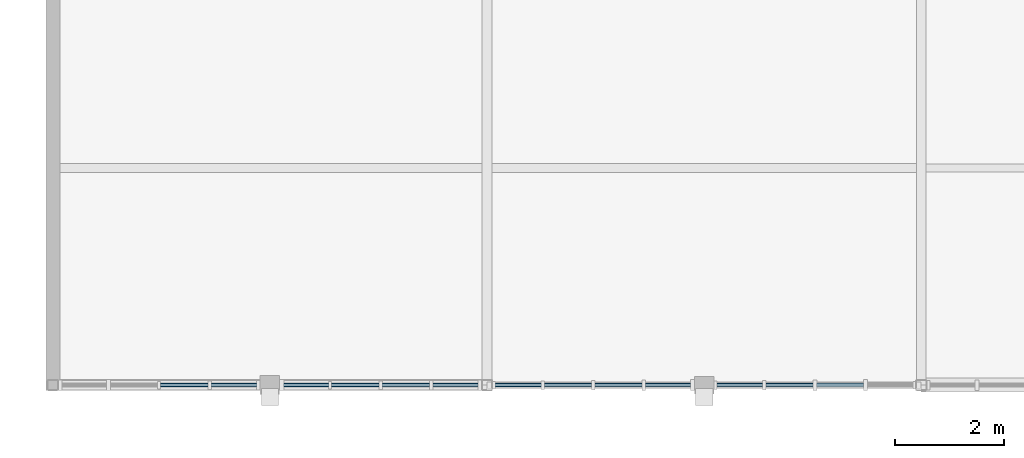
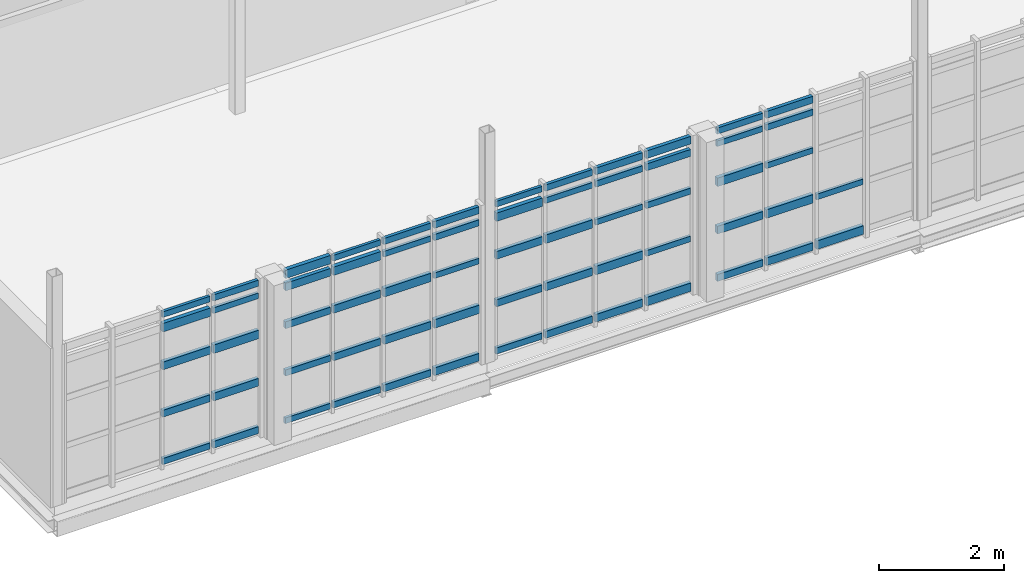
# One storey, part 67 of 125: 62 members, 4 elements without a shape of their own.
"""IFC4 building model written with IfcOpenShell, lengths in metres."""

from ifc_helpers import new_model, si_unit, direction, frame, origin, origin_2d, place, context, subcontext, project, spatial, rectangle, extrude, material, material_profile, profile_set, type_object, element, aggregate, save


model = new_model("IFC4")

# Units and contexts
model_context = context("Model", 3, precision=1e-05, world=origin(), true_north=direction((0.0, 1.0)))
body_context = subcontext(model_context, "Body", "Model", "MODEL_VIEW")
ifc_project = project(units=[si_unit("LENGTHUNIT", "METRE"), si_unit("AREAUNIT", "SQUARE_METRE"), si_unit("VOLUMEUNIT", "CUBIC_METRE"), si_unit("PLANEANGLEUNIT", "RADIAN"), si_unit("MASSUNIT", "GRAM", prefix="KILO")], contexts=[model_context])

# Site, building, storey
site_placement = place(None, origin())
site = spatial("IfcSite", under=ifc_project, at=site_placement, CompositionType="ELEMENT")
building_placement = place(site_placement, origin())
building = spatial("IfcBuilding", under=site, at=building_placement, Name="Serraforn Aerial Cableway Station", CompositionType="ELEMENT")
storey_placement = place(building_placement, frame((0.0, 0.0, 4.5)))
storey = spatial("IfcBuildingStorey", under=building, at=storey_placement, Name="L01", CompositionType="ELEMENT", Elevation=4.5)

# Curtain wall, members
ifc_material_1 = material(Name="Anodised bronze unitised curtain wall")
curtain_wall_type_1 = type_object("IfcCurtainWallType", Name="CW-SYS-3", PredefinedType="USERDEFINED", material=ifc_material_1)
curtain_wall_1_placement = place(storey_placement, origin())
curtain_wall_1 = element("IfcCurtainWall", 1, at=curtain_wall_1_placement, inside=storey, type_object=curtain_wall_type_1, Name="Unitised Curtain Wall CW-ES-L01-S1A", ObjectType="UNITISED CURTAIN WALL", PredefinedType="USERDEFINED")
ifc_material_2 = material(Name="Anodised bronze extruded aluminium", Category="aluminium")
ifc_material_profile_1 = material_profile(ifc_material_2, rectangle(XDim=0.054931640625, YDim=0.110107421875, at=origin_2d()), Name="CW TRANSOM 55x110")
ifc_profile_set_1 = profile_set([ifc_material_profile_1], Name="Anodised bronze extruded aluminium")
member_type_1 = type_object("IfcMemberType", Name="CW-TRN-1", PredefinedType="USERDEFINED", material=ifc_profile_set_1)
member_1_placement = place(storey_placement, frame((145.984619140625, 0.0, 2.9951171875), z_axis=(1.0, 0.0, 0.0), x_axis=(0.0, 1.0, 0.0)))
member_1 = element("IfcMember", 2, at=member_1_placement, type_object=member_type_1, Name="Curtain Wall Transom CW-ES-L01-S1A-T3-5", ObjectType="TRANSOM", PredefinedType="USERDEFINED", context=body_context, shape_type="SweptSolid", body=[
    extrude(rectangle(XDim=0.054931640625, YDim=0.110107421875, at=origin_2d()), origin(), (0.0, 0.0, 1.0), 0.876953125),
])
member_2_placement = place(storey_placement, frame((146.91748046875, 0.0, 2.74560546875), z_axis=(1.0, 0.0, 0.0), x_axis=(0.0, 1.0, 0.0)))
member_2 = element("IfcMember", 3, at=member_2_placement, type_object=member_type_1, Name="Curtain Wall Transom CW-ES-L01-S1A-T4-4", ObjectType="TRANSOM", PredefinedType="USERDEFINED", context=body_context, shape_type="SweptSolid", body=[
    extrude(rectangle(XDim=0.054931640625, YDim=0.110107421875, at=origin_2d()), origin(), (0.0, 0.0, 1.0), 0.839599609375),
])

curtain_wall_type_2 = type_object("IfcCurtainWallType", Name="CW-SYS-4", PredefinedType="USERDEFINED", material=ifc_material_1)
curtain_wall_2_placement = place(storey_placement, origin())
curtain_wall_2 = element("IfcCurtainWall", 4, at=curtain_wall_2_placement, inside=storey, type_object=curtain_wall_type_2, Name="Unitised Curtain Wall CW-ES-L01-S1B", ObjectType="UNITISED CURTAIN WALL", PredefinedType="USERDEFINED")
member_3_placement = place(storey_placement, frame((148.2529296875, 0.0, 0.124755859375), z_axis=(1.0, 0.0, 0.0), x_axis=(0.0, 1.0, 0.0)))
member_3 = element("IfcMember", 5, at=member_3_placement, type_object=member_type_1, Name="Curtain Wall Transom CW-ES-L01-S1B-T1-1", ObjectType="TRANSOM", PredefinedType="USERDEFINED", context=body_context, shape_type="SweptSolid", body=[
    extrude(rectangle(XDim=0.054931640625, YDim=0.110107421875, at=origin_2d()), origin(), (0.0, 0.0, 1.0), 0.83203125),
])
member_4_placement = place(storey_placement, frame((149.135986328125, 0.0, 2.9951171875), z_axis=(1.0, 0.0, 0.0), x_axis=(0.0, 1.0, 0.0)))
member_4 = element("IfcMember", 6, at=member_4_placement, type_object=member_type_1, Name="Curtain Wall Transom CW-ES-L01-S1B-T2-5", ObjectType="TRANSOM", PredefinedType="USERDEFINED", context=body_context, shape_type="SweptSolid", body=[
    extrude(rectangle(XDim=0.054931640625, YDim=0.110107421875, at=origin_2d()), origin(), (0.0, 0.0, 1.0), 0.876953125),
])
member_5_placement = place(storey_placement, frame((150.069091796875, 0.0, 2.74560546875), z_axis=(1.0, 0.0, 0.0), x_axis=(0.0, 1.0, 0.0)))
member_5 = element("IfcMember", 7, at=member_5_placement, type_object=member_type_1, Name="Curtain Wall Transom CW-ES-L01-S1B-T3-4", ObjectType="TRANSOM", PredefinedType="USERDEFINED", context=body_context, shape_type="SweptSolid", body=[
    extrude(rectangle(XDim=0.054931640625, YDim=0.110107421875, at=origin_2d()), origin(), (0.0, 0.0, 1.0), 0.871826171875),
])
member_6_placement = place(storey_placement, frame((151.001953125, 0.0, 1.996826171875), z_axis=(1.0, 0.0, 0.0), x_axis=(0.0, 1.0, 0.0)))
member_6 = element("IfcMember", 8, at=member_6_placement, type_object=member_type_1, Name="Curtain Wall Transom CW-ES-L01-S1B-T4-3", ObjectType="TRANSOM", PredefinedType="USERDEFINED", context=body_context, shape_type="SweptSolid", body=[
    extrude(rectangle(XDim=0.054931640625, YDim=0.110107421875, at=origin_2d()), origin(), (0.0, 0.0, 1.0), 0.83203125),
])

curtain_wall_type_3 = type_object("IfcCurtainWallType", Name="CW-SYS-5", PredefinedType="USERDEFINED", material=ifc_material_1)
curtain_wall_3_placement = place(storey_placement, origin())
curtain_wall_3 = element("IfcCurtainWall", 9, at=curtain_wall_3_placement, inside=storey, type_object=curtain_wall_type_3, Name="Unitised Curtain Wall CW-ES-L01-S2A", ObjectType="UNITISED CURTAIN WALL", PredefinedType="USERDEFINED")
member_7_placement = place(storey_placement, frame((152.15087890625, 0.0, 2.9951171875), z_axis=(1.0, 0.0, 0.0), x_axis=(0.0, 1.0, 0.0)))
member_7 = element("IfcMember", 10, at=member_7_placement, type_object=member_type_1, Name="Curtain Wall Transom CW-ES-L01-S2A-T1-5", ObjectType="TRANSOM", PredefinedType="USERDEFINED", context=body_context, shape_type="SweptSolid", body=[
    extrude(rectangle(XDim=0.054931640625, YDim=0.110107421875, at=origin_2d()), origin(), (0.0, 0.0, 1.0), 0.849609375),
])
member_8_placement = place(storey_placement, frame((153.056396484375, 0.0, 2.74560546875), z_axis=(1.0, 0.0, 0.0), x_axis=(0.0, 1.0, 0.0)))
member_8 = element("IfcMember", 11, at=member_8_placement, type_object=member_type_1, Name="Curtain Wall Transom CW-ES-L01-S2A-T2-4", ObjectType="TRANSOM", PredefinedType="USERDEFINED", context=body_context, shape_type="SweptSolid", body=[
    extrude(rectangle(XDim=0.054931640625, YDim=0.110107421875, at=origin_2d()), origin(), (0.0, 0.0, 1.0), 0.8720703125),
])
member_9_placement = place(storey_placement, frame((153.989501953125, 0.0, 1.996826171875), z_axis=(1.0, 0.0, 0.0), x_axis=(0.0, 1.0, 0.0)))
member_9 = element("IfcMember", 12, at=member_9_placement, type_object=member_type_1, Name="Curtain Wall Transom CW-ES-L01-S2A-T3-3", ObjectType="TRANSOM", PredefinedType="USERDEFINED", context=body_context, shape_type="SweptSolid", body=[
    extrude(rectangle(XDim=0.054931640625, YDim=0.110107421875, at=origin_2d()), origin(), (0.0, 0.0, 1.0), 0.866943359375),
])
member_10_placement = place(storey_placement, frame((154.922607421875, 0.0, 1.060791015625), z_axis=(1.0, 0.0, 0.0), x_axis=(0.0, 1.0, 0.0)))
member_10 = element("IfcMember", 13, at=member_10_placement, type_object=member_type_1, Name="Curtain Wall Transom CW-ES-L01-S2A-T4-2", ObjectType="TRANSOM", PredefinedType="USERDEFINED", context=body_context, shape_type="SweptSolid", body=[
    extrude(rectangle(XDim=0.054931640625, YDim=0.110107421875, at=origin_2d()), origin(), (0.0, 0.0, 1.0), 0.824462890625),
])

curtain_wall_type_4 = type_object("IfcCurtainWallType", Name="CW-SYS-6", PredefinedType="USERDEFINED", material=ifc_material_1)
curtain_wall_4_placement = place(storey_placement, origin())
curtain_wall_4 = element("IfcCurtainWall", 14, at=curtain_wall_4_placement, inside=storey, type_object=curtain_wall_type_4, Name="Unitised Curtain Wall CW-ES-L01-S2B", ObjectType="UNITISED CURTAIN WALL", PredefinedType="USERDEFINED")
member_11_placement = place(storey_placement, frame((156.238037109375, 0.0, 2.74560546875), z_axis=(1.0, 0.0, 0.0), x_axis=(0.0, 1.0, 0.0)))
member_11 = element("IfcMember", 15, at=member_11_placement, type_object=member_type_1, Name="Curtain Wall Transom CW-ES-L01-S2B-T1-4", ObjectType="TRANSOM", PredefinedType="USERDEFINED", context=body_context, shape_type="SweptSolid", body=[
    extrude(rectangle(XDim=0.054931640625, YDim=0.110107421875, at=origin_2d()), origin(), (0.0, 0.0, 1.0), 0.842041015625),
])
member_12_placement = place(storey_placement, frame((157.14111328125, 0.0, 1.996826171875), z_axis=(1.0, 0.0, 0.0), x_axis=(0.0, 1.0, 0.0)))
member_12 = element("IfcMember", 16, at=member_12_placement, type_object=member_type_1, Name="Curtain Wall Transom CW-ES-L01-S2B-T2-3", ObjectType="TRANSOM", PredefinedType="USERDEFINED", context=body_context, shape_type="SweptSolid", body=[
    extrude(rectangle(XDim=0.054931640625, YDim=0.110107421875, at=origin_2d()), origin(), (0.0, 0.0, 1.0), 0.866943359375),
])
member_13_placement = place(storey_placement, frame((158.073974609375, 0.0, 1.060791015625), z_axis=(1.0, 0.0, 0.0), x_axis=(0.0, 1.0, 0.0)))
member_13 = element("IfcMember", 17, at=member_13_placement, type_object=member_type_1, Name="Curtain Wall Transom CW-ES-L01-S2B-T3-2", ObjectType="TRANSOM", PredefinedType="USERDEFINED", context=body_context, shape_type="SweptSolid", body=[
    extrude(rectangle(XDim=0.054931640625, YDim=0.110107421875, at=origin_2d()), origin(), (0.0, 0.0, 1.0), 0.862060546875),
])

# Member
ifc_material_profile_2 = material_profile(ifc_material_2, rectangle(XDim=0.06005859375, YDim=0.1201171875, at=origin_2d()), Name="CW TRANSOM 60x120")
ifc_profile_set_2 = profile_set([ifc_material_profile_2], Name="Anodised bronze extruded aluminium")
member_type_2 = type_object("IfcMemberType", Name="CW-TRN-2", PredefinedType="USERDEFINED", material=ifc_profile_set_2)
member_14_placement = place(storey_placement, frame((145.984619140625, 0.0, 0.124755859375), z_axis=(1.0, 0.0, 0.0), x_axis=(0.0, 1.0, 0.0)))
member_14 = element("IfcMember", 18, at=member_14_placement, type_object=member_type_2, Name="Curtain Wall Transom CW-ES-L01-S1A-T3-1", ObjectType="TRANSOM", PredefinedType="USERDEFINED", context=body_context, shape_type="SweptSolid", body=[
    extrude(rectangle(XDim=0.06005859375, YDim=0.1201171875, at=origin_2d()), origin(), (0.0, 0.0, 1.0), 0.876953125),
])

member_15_placement = place(storey_placement, frame((146.91748046875, 0.0, 2.9951171875), z_axis=(1.0, 0.0, 0.0), x_axis=(0.0, 1.0, 0.0)))
member_15 = element("IfcMember", 19, at=member_15_placement, type_object=member_type_2, Name="Curtain Wall Transom CW-ES-L01-S1A-T4-5", ObjectType="TRANSOM", PredefinedType="USERDEFINED", context=body_context, shape_type="SweptSolid", body=[
    extrude(rectangle(XDim=0.06005859375, YDim=0.1201171875, at=origin_2d()), origin(), (0.0, 0.0, 1.0), 0.839599609375),
])

member_16_placement = place(storey_placement, frame((148.2529296875, 0.0, 1.060791015625), z_axis=(1.0, 0.0, 0.0), x_axis=(0.0, 1.0, 0.0)))
member_16 = element("IfcMember", 20, at=member_16_placement, type_object=member_type_2, Name="Curtain Wall Transom CW-ES-L01-S1B-T1-2", ObjectType="TRANSOM", PredefinedType="USERDEFINED", context=body_context, shape_type="SweptSolid", body=[
    extrude(rectangle(XDim=0.06005859375, YDim=0.1201171875, at=origin_2d()), origin(), (0.0, 0.0, 1.0), 0.83203125),
])

member_17_placement = place(storey_placement, frame((149.135986328125, 0.0, 0.124755859375), z_axis=(1.0, 0.0, 0.0), x_axis=(0.0, 1.0, 0.0)))
member_17 = element("IfcMember", 21, at=member_17_placement, type_object=member_type_2, Name="Curtain Wall Transom CW-ES-L01-S1B-T2-1", ObjectType="TRANSOM", PredefinedType="USERDEFINED", context=body_context, shape_type="SweptSolid", body=[
    extrude(rectangle(XDim=0.06005859375, YDim=0.1201171875, at=origin_2d()), origin(), (0.0, 0.0, 1.0), 0.876953125),
])

member_18_placement = place(storey_placement, frame((150.069091796875, 0.0, 2.9951171875), z_axis=(1.0, 0.0, 0.0), x_axis=(0.0, 1.0, 0.0)))
member_18 = element("IfcMember", 22, at=member_18_placement, type_object=member_type_2, Name="Curtain Wall Transom CW-ES-L01-S1B-T3-5", ObjectType="TRANSOM", PredefinedType="USERDEFINED", context=body_context, shape_type="SweptSolid", body=[
    extrude(rectangle(XDim=0.06005859375, YDim=0.1201171875, at=origin_2d()), origin(), (0.0, 0.0, 1.0), 0.871826171875),
])

member_19_placement = place(storey_placement, frame((151.001953125, 0.0, 2.74560546875), z_axis=(1.0, 0.0, 0.0), x_axis=(0.0, 1.0, 0.0)))
member_19 = element("IfcMember", 23, at=member_19_placement, type_object=member_type_2, Name="Curtain Wall Transom CW-ES-L01-S1B-T4-4", ObjectType="TRANSOM", PredefinedType="USERDEFINED", context=body_context, shape_type="SweptSolid", body=[
    extrude(rectangle(XDim=0.06005859375, YDim=0.1201171875, at=origin_2d()), origin(), (0.0, 0.0, 1.0), 0.83203125),
])

member_20_placement = place(storey_placement, frame((152.15087890625, 0.0, 0.124755859375), z_axis=(1.0, 0.0, 0.0), x_axis=(0.0, 1.0, 0.0)))
member_20 = element("IfcMember", 24, at=member_20_placement, type_object=member_type_2, Name="Curtain Wall Transom CW-ES-L01-S2A-T1-1", ObjectType="TRANSOM", PredefinedType="USERDEFINED", context=body_context, shape_type="SweptSolid", body=[
    extrude(rectangle(XDim=0.06005859375, YDim=0.1201171875, at=origin_2d()), origin(), (0.0, 0.0, 1.0), 0.849609375),
])

member_21_placement = place(storey_placement, frame((153.056396484375, 0.0, 2.9951171875), z_axis=(1.0, 0.0, 0.0), x_axis=(0.0, 1.0, 0.0)))
member_21 = element("IfcMember", 25, at=member_21_placement, type_object=member_type_2, Name="Curtain Wall Transom CW-ES-L01-S2A-T2-5", ObjectType="TRANSOM", PredefinedType="USERDEFINED", context=body_context, shape_type="SweptSolid", body=[
    extrude(rectangle(XDim=0.06005859375, YDim=0.1201171875, at=origin_2d()), origin(), (0.0, 0.0, 1.0), 0.8720703125),
])

member_22_placement = place(storey_placement, frame((153.989501953125, 0.0, 2.74560546875), z_axis=(1.0, 0.0, 0.0), x_axis=(0.0, 1.0, 0.0)))
member_22 = element("IfcMember", 26, at=member_22_placement, type_object=member_type_2, Name="Curtain Wall Transom CW-ES-L01-S2A-T3-4", ObjectType="TRANSOM", PredefinedType="USERDEFINED", context=body_context, shape_type="SweptSolid", body=[
    extrude(rectangle(XDim=0.06005859375, YDim=0.1201171875, at=origin_2d()), origin(), (0.0, 0.0, 1.0), 0.866943359375),
])

member_23_placement = place(storey_placement, frame((154.922607421875, 0.0, 1.996826171875), z_axis=(1.0, 0.0, 0.0), x_axis=(0.0, 1.0, 0.0)))
member_23 = element("IfcMember", 27, at=member_23_placement, type_object=member_type_2, Name="Curtain Wall Transom CW-ES-L01-S2A-T4-3", ObjectType="TRANSOM", PredefinedType="USERDEFINED", context=body_context, shape_type="SweptSolid", body=[
    extrude(rectangle(XDim=0.06005859375, YDim=0.1201171875, at=origin_2d()), origin(), (0.0, 0.0, 1.0), 0.824462890625),
])

member_24_placement = place(storey_placement, frame((156.238037109375, 0.0, 2.9951171875), z_axis=(1.0, 0.0, 0.0), x_axis=(0.0, 1.0, 0.0)))
member_24 = element("IfcMember", 28, at=member_24_placement, type_object=member_type_2, Name="Curtain Wall Transom CW-ES-L01-S2B-T1-5", ObjectType="TRANSOM", PredefinedType="USERDEFINED", context=body_context, shape_type="SweptSolid", body=[
    extrude(rectangle(XDim=0.06005859375, YDim=0.1201171875, at=origin_2d()), origin(), (0.0, 0.0, 1.0), 0.842041015625),
])

member_25_placement = place(storey_placement, frame((157.14111328125, 0.0, 2.74560546875), z_axis=(1.0, 0.0, 0.0), x_axis=(0.0, 1.0, 0.0)))
member_25 = element("IfcMember", 29, at=member_25_placement, type_object=member_type_2, Name="Curtain Wall Transom CW-ES-L01-S2B-T2-4", ObjectType="TRANSOM", PredefinedType="USERDEFINED", context=body_context, shape_type="SweptSolid", body=[
    extrude(rectangle(XDim=0.06005859375, YDim=0.1201171875, at=origin_2d()), origin(), (0.0, 0.0, 1.0), 0.866943359375),
])

ifc_material_profile_3 = material_profile(ifc_material_2, rectangle(XDim=0.06494140625, YDim=0.135009765625, at=origin_2d()), Name="CW TRANSOM 65x135")
ifc_profile_set_3 = profile_set([ifc_material_profile_3], Name="Anodised bronze extruded aluminium")
member_type_3 = type_object("IfcMemberType", Name="CW-TRN-3", PredefinedType="USERDEFINED", material=ifc_profile_set_3)
member_26_placement = place(storey_placement, frame((145.984619140625, 0.0, 1.060791015625), z_axis=(1.0, 0.0, 0.0), x_axis=(0.0, 1.0, 0.0)))
member_26 = element("IfcMember", 30, at=member_26_placement, type_object=member_type_3, Name="Curtain Wall Transom CW-ES-L01-S1A-T3-2", ObjectType="TRANSOM", PredefinedType="USERDEFINED", context=body_context, shape_type="SweptSolid", body=[
    extrude(rectangle(XDim=0.06494140625, YDim=0.135009765625, at=origin_2d()), origin(), (0.0, 0.0, 1.0), 0.876953125),
])

member_27_placement = place(storey_placement, frame((146.91748046875, 0.0, 0.124755859375), z_axis=(1.0, 0.0, 0.0), x_axis=(0.0, 1.0, 0.0)))
member_27 = element("IfcMember", 31, at=member_27_placement, type_object=member_type_3, Name="Curtain Wall Transom CW-ES-L01-S1A-T4-1", ObjectType="TRANSOM", PredefinedType="USERDEFINED", context=body_context, shape_type="SweptSolid", body=[
    extrude(rectangle(XDim=0.06494140625, YDim=0.135009765625, at=origin_2d()), origin(), (0.0, 0.0, 1.0), 0.839599609375),
])

member_28_placement = place(storey_placement, frame((148.2529296875, 0.0, 1.996826171875), z_axis=(1.0, 0.0, 0.0), x_axis=(0.0, 1.0, 0.0)))
member_28 = element("IfcMember", 32, at=member_28_placement, type_object=member_type_3, Name="Curtain Wall Transom CW-ES-L01-S1B-T1-3", ObjectType="TRANSOM", PredefinedType="USERDEFINED", context=body_context, shape_type="SweptSolid", body=[
    extrude(rectangle(XDim=0.06494140625, YDim=0.135009765625, at=origin_2d()), origin(), (0.0, 0.0, 1.0), 0.83203125),
])

member_29_placement = place(storey_placement, frame((149.135986328125, 0.0, 1.060791015625), z_axis=(1.0, 0.0, 0.0), x_axis=(0.0, 1.0, 0.0)))
member_29 = element("IfcMember", 33, at=member_29_placement, type_object=member_type_3, Name="Curtain Wall Transom CW-ES-L01-S1B-T2-2", ObjectType="TRANSOM", PredefinedType="USERDEFINED", context=body_context, shape_type="SweptSolid", body=[
    extrude(rectangle(XDim=0.06494140625, YDim=0.135009765625, at=origin_2d()), origin(), (0.0, 0.0, 1.0), 0.876953125),
])

member_30_placement = place(storey_placement, frame((150.069091796875, 0.0, 0.124755859375), z_axis=(1.0, 0.0, 0.0), x_axis=(0.0, 1.0, 0.0)))
member_30 = element("IfcMember", 34, at=member_30_placement, type_object=member_type_3, Name="Curtain Wall Transom CW-ES-L01-S1B-T3-1", ObjectType="TRANSOM", PredefinedType="USERDEFINED", context=body_context, shape_type="SweptSolid", body=[
    extrude(rectangle(XDim=0.06494140625, YDim=0.135009765625, at=origin_2d()), origin(), (0.0, 0.0, 1.0), 0.871826171875),
])

member_31_placement = place(storey_placement, frame((151.001953125, 0.0, 2.9951171875), z_axis=(1.0, 0.0, 0.0), x_axis=(0.0, 1.0, 0.0)))
member_31 = element("IfcMember", 35, at=member_31_placement, type_object=member_type_3, Name="Curtain Wall Transom CW-ES-L01-S1B-T4-5", ObjectType="TRANSOM", PredefinedType="USERDEFINED", context=body_context, shape_type="SweptSolid", body=[
    extrude(rectangle(XDim=0.06494140625, YDim=0.135009765625, at=origin_2d()), origin(), (0.0, 0.0, 1.0), 0.83203125),
])

member_32_placement = place(storey_placement, frame((152.15087890625, 0.0, 1.060791015625), z_axis=(1.0, 0.0, 0.0), x_axis=(0.0, 1.0, 0.0)))
member_32 = element("IfcMember", 36, at=member_32_placement, type_object=member_type_3, Name="Curtain Wall Transom CW-ES-L01-S2A-T1-2", ObjectType="TRANSOM", PredefinedType="USERDEFINED", context=body_context, shape_type="SweptSolid", body=[
    extrude(rectangle(XDim=0.06494140625, YDim=0.135009765625, at=origin_2d()), origin(), (0.0, 0.0, 1.0), 0.849609375),
])

member_33_placement = place(storey_placement, frame((153.056396484375, 0.0, 0.124755859375), z_axis=(1.0, 0.0, 0.0), x_axis=(0.0, 1.0, 0.0)))
member_33 = element("IfcMember", 37, at=member_33_placement, type_object=member_type_3, Name="Curtain Wall Transom CW-ES-L01-S2A-T2-1", ObjectType="TRANSOM", PredefinedType="USERDEFINED", context=body_context, shape_type="SweptSolid", body=[
    extrude(rectangle(XDim=0.06494140625, YDim=0.135009765625, at=origin_2d()), origin(), (0.0, 0.0, 1.0), 0.8720703125),
])

member_34_placement = place(storey_placement, frame((153.989501953125, 0.0, 2.9951171875), z_axis=(1.0, 0.0, 0.0), x_axis=(0.0, 1.0, 0.0)))
member_34 = element("IfcMember", 38, at=member_34_placement, type_object=member_type_3, Name="Curtain Wall Transom CW-ES-L01-S2A-T3-5", ObjectType="TRANSOM", PredefinedType="USERDEFINED", context=body_context, shape_type="SweptSolid", body=[
    extrude(rectangle(XDim=0.06494140625, YDim=0.135009765625, at=origin_2d()), origin(), (0.0, 0.0, 1.0), 0.866943359375),
])

member_35_placement = place(storey_placement, frame((154.922607421875, 0.0, 2.74560546875), z_axis=(1.0, 0.0, 0.0), x_axis=(0.0, 1.0, 0.0)))
member_35 = element("IfcMember", 39, at=member_35_placement, type_object=member_type_3, Name="Curtain Wall Transom CW-ES-L01-S2A-T4-4", ObjectType="TRANSOM", PredefinedType="USERDEFINED", context=body_context, shape_type="SweptSolid", body=[
    extrude(rectangle(XDim=0.06494140625, YDim=0.135009765625, at=origin_2d()), origin(), (0.0, 0.0, 1.0), 0.824462890625),
])

member_36_placement = place(storey_placement, frame((156.238037109375, 0.0, 0.124755859375), z_axis=(1.0, 0.0, 0.0), x_axis=(0.0, 1.0, 0.0)))
member_36 = element("IfcMember", 40, at=member_36_placement, type_object=member_type_3, Name="Curtain Wall Transom CW-ES-L01-S2B-T1-1", ObjectType="TRANSOM", PredefinedType="USERDEFINED", context=body_context, shape_type="SweptSolid", body=[
    extrude(rectangle(XDim=0.06494140625, YDim=0.135009765625, at=origin_2d()), origin(), (0.0, 0.0, 1.0), 0.842041015625),
])

member_37_placement = place(storey_placement, frame((157.14111328125, 0.0, 2.9951171875), z_axis=(1.0, 0.0, 0.0), x_axis=(0.0, 1.0, 0.0)))
member_37 = element("IfcMember", 41, at=member_37_placement, type_object=member_type_3, Name="Curtain Wall Transom CW-ES-L01-S2B-T2-5", ObjectType="TRANSOM", PredefinedType="USERDEFINED", context=body_context, shape_type="SweptSolid", body=[
    extrude(rectangle(XDim=0.06494140625, YDim=0.135009765625, at=origin_2d()), origin(), (0.0, 0.0, 1.0), 0.866943359375),
])

ifc_material_profile_4 = material_profile(ifc_material_2, rectangle(XDim=0.070068359375, YDim=0.14990234375, at=origin_2d()), Name="CW TRANSOM 70x150")
ifc_profile_set_4 = profile_set([ifc_material_profile_4], Name="Anodised bronze extruded aluminium")
member_type_4 = type_object("IfcMemberType", Name="CW-TRN-4", PredefinedType="USERDEFINED", material=ifc_profile_set_4)
member_38_placement = place(storey_placement, frame((145.984619140625, 0.0, 1.996826171875), z_axis=(1.0, 0.0, 0.0), x_axis=(0.0, 1.0, 0.0)))
member_38 = element("IfcMember", 42, at=member_38_placement, type_object=member_type_4, Name="Curtain Wall Transom CW-ES-L01-S1A-T3-3", ObjectType="TRANSOM", PredefinedType="USERDEFINED", context=body_context, shape_type="SweptSolid", body=[
    extrude(rectangle(XDim=0.070068359375, YDim=0.14990234375, at=origin_2d()), origin(), (0.0, 0.0, 1.0), 0.876953125),
])

member_39_placement = place(storey_placement, frame((146.91748046875, 0.0, 1.060791015625), z_axis=(1.0, 0.0, 0.0), x_axis=(0.0, 1.0, 0.0)))
member_39 = element("IfcMember", 43, at=member_39_placement, type_object=member_type_4, Name="Curtain Wall Transom CW-ES-L01-S1A-T4-2", ObjectType="TRANSOM", PredefinedType="USERDEFINED", context=body_context, shape_type="SweptSolid", body=[
    extrude(rectangle(XDim=0.070068359375, YDim=0.14990234375, at=origin_2d()), origin(), (0.0, 0.0, 1.0), 0.839599609375),
])

member_40_placement = place(storey_placement, frame((148.2529296875, 0.0, 2.74560546875), z_axis=(1.0, 0.0, 0.0), x_axis=(0.0, 1.0, 0.0)))
member_40 = element("IfcMember", 44, at=member_40_placement, type_object=member_type_4, Name="Curtain Wall Transom CW-ES-L01-S1B-T1-4", ObjectType="TRANSOM", PredefinedType="USERDEFINED", context=body_context, shape_type="SweptSolid", body=[
    extrude(rectangle(XDim=0.070068359375, YDim=0.14990234375, at=origin_2d()), origin(), (0.0, 0.0, 1.0), 0.83203125),
])

member_41_placement = place(storey_placement, frame((149.135986328125, 0.0, 1.996826171875), z_axis=(1.0, 0.0, 0.0), x_axis=(0.0, 1.0, 0.0)))
member_41 = element("IfcMember", 45, at=member_41_placement, type_object=member_type_4, Name="Curtain Wall Transom CW-ES-L01-S1B-T2-3", ObjectType="TRANSOM", PredefinedType="USERDEFINED", context=body_context, shape_type="SweptSolid", body=[
    extrude(rectangle(XDim=0.070068359375, YDim=0.14990234375, at=origin_2d()), origin(), (0.0, 0.0, 1.0), 0.876953125),
])

member_42_placement = place(storey_placement, frame((150.069091796875, 0.0, 1.060791015625), z_axis=(1.0, 0.0, 0.0), x_axis=(0.0, 1.0, 0.0)))
member_42 = element("IfcMember", 46, at=member_42_placement, type_object=member_type_4, Name="Curtain Wall Transom CW-ES-L01-S1B-T3-2", ObjectType="TRANSOM", PredefinedType="USERDEFINED", context=body_context, shape_type="SweptSolid", body=[
    extrude(rectangle(XDim=0.070068359375, YDim=0.14990234375, at=origin_2d()), origin(), (0.0, 0.0, 1.0), 0.871826171875),
])

member_43_placement = place(storey_placement, frame((151.001953125, 0.0, 0.124755859375), z_axis=(1.0, 0.0, 0.0), x_axis=(0.0, 1.0, 0.0)))
member_43 = element("IfcMember", 47, at=member_43_placement, type_object=member_type_4, Name="Curtain Wall Transom CW-ES-L01-S1B-T4-1", ObjectType="TRANSOM", PredefinedType="USERDEFINED", context=body_context, shape_type="SweptSolid", body=[
    extrude(rectangle(XDim=0.070068359375, YDim=0.14990234375, at=origin_2d()), origin(), (0.0, 0.0, 1.0), 0.83203125),
])

member_44_placement = place(storey_placement, frame((152.15087890625, 0.0, 1.996826171875), z_axis=(1.0, 0.0, 0.0), x_axis=(0.0, 1.0, 0.0)))
member_44 = element("IfcMember", 48, at=member_44_placement, type_object=member_type_4, Name="Curtain Wall Transom CW-ES-L01-S2A-T1-3", ObjectType="TRANSOM", PredefinedType="USERDEFINED", context=body_context, shape_type="SweptSolid", body=[
    extrude(rectangle(XDim=0.070068359375, YDim=0.14990234375, at=origin_2d()), origin(), (0.0, 0.0, 1.0), 0.849609375),
])

member_45_placement = place(storey_placement, frame((153.056396484375, 0.0, 1.060791015625), z_axis=(1.0, 0.0, 0.0), x_axis=(0.0, 1.0, 0.0)))
member_45 = element("IfcMember", 49, at=member_45_placement, type_object=member_type_4, Name="Curtain Wall Transom CW-ES-L01-S2A-T2-2", ObjectType="TRANSOM", PredefinedType="USERDEFINED", context=body_context, shape_type="SweptSolid", body=[
    extrude(rectangle(XDim=0.070068359375, YDim=0.14990234375, at=origin_2d()), origin(), (0.0, 0.0, 1.0), 0.8720703125),
])

member_46_placement = place(storey_placement, frame((153.989501953125, 0.0, 0.124755859375), z_axis=(1.0, 0.0, 0.0), x_axis=(0.0, 1.0, 0.0)))
member_46 = element("IfcMember", 50, at=member_46_placement, type_object=member_type_4, Name="Curtain Wall Transom CW-ES-L01-S2A-T3-1", ObjectType="TRANSOM", PredefinedType="USERDEFINED", context=body_context, shape_type="SweptSolid", body=[
    extrude(rectangle(XDim=0.070068359375, YDim=0.14990234375, at=origin_2d()), origin(), (0.0, 0.0, 1.0), 0.866943359375),
])

member_47_placement = place(storey_placement, frame((154.922607421875, 0.0, 2.9951171875), z_axis=(1.0, 0.0, 0.0), x_axis=(0.0, 1.0, 0.0)))
member_47 = element("IfcMember", 51, at=member_47_placement, type_object=member_type_4, Name="Curtain Wall Transom CW-ES-L01-S2A-T4-5", ObjectType="TRANSOM", PredefinedType="USERDEFINED", context=body_context, shape_type="SweptSolid", body=[
    extrude(rectangle(XDim=0.070068359375, YDim=0.14990234375, at=origin_2d()), origin(), (0.0, 0.0, 1.0), 0.824462890625),
])

member_48_placement = place(storey_placement, frame((156.238037109375, 0.0, 1.060791015625), z_axis=(1.0, 0.0, 0.0), x_axis=(0.0, 1.0, 0.0)))
member_48 = element("IfcMember", 52, at=member_48_placement, type_object=member_type_4, Name="Curtain Wall Transom CW-ES-L01-S2B-T1-2", ObjectType="TRANSOM", PredefinedType="USERDEFINED", context=body_context, shape_type="SweptSolid", body=[
    extrude(rectangle(XDim=0.070068359375, YDim=0.14990234375, at=origin_2d()), origin(), (0.0, 0.0, 1.0), 0.842041015625),
])

member_49_placement = place(storey_placement, frame((157.14111328125, 0.0, 0.124755859375), z_axis=(1.0, 0.0, 0.0), x_axis=(0.0, 1.0, 0.0)))
member_49 = element("IfcMember", 53, at=member_49_placement, type_object=member_type_4, Name="Curtain Wall Transom CW-ES-L01-S2B-T2-1", ObjectType="TRANSOM", PredefinedType="USERDEFINED", context=body_context, shape_type="SweptSolid", body=[
    extrude(rectangle(XDim=0.070068359375, YDim=0.14990234375, at=origin_2d()), origin(), (0.0, 0.0, 1.0), 0.866943359375),
])

ifc_material_profile_5 = material_profile(ifc_material_2, rectangle(XDim=0.074951171875, YDim=0.1650390625, at=origin_2d()), Name="CW TRANSOM 75x165")
ifc_profile_set_5 = profile_set([ifc_material_profile_5], Name="Anodised bronze extruded aluminium")
member_type_5 = type_object("IfcMemberType", Name="CW-TRN-5", PredefinedType="USERDEFINED", material=ifc_profile_set_5)
member_50_placement = place(storey_placement, frame((145.984619140625, 0.0, 2.74560546875), z_axis=(1.0, 0.0, 0.0), x_axis=(0.0, 1.0, 0.0)))
member_50 = element("IfcMember", 54, at=member_50_placement, type_object=member_type_5, Name="Curtain Wall Transom CW-ES-L01-S1A-T3-4", ObjectType="TRANSOM", PredefinedType="USERDEFINED", context=body_context, shape_type="SweptSolid", body=[
    extrude(rectangle(XDim=0.074951171875, YDim=0.1650390625, at=origin_2d()), origin(), (0.0, 0.0, 1.0), 0.876953125),
])

member_51_placement = place(storey_placement, frame((146.91748046875, 0.0, 1.996826171875), z_axis=(1.0, 0.0, 0.0), x_axis=(0.0, 1.0, 0.0)))
member_51 = element("IfcMember", 55, at=member_51_placement, type_object=member_type_5, Name="Curtain Wall Transom CW-ES-L01-S1A-T4-3", ObjectType="TRANSOM", PredefinedType="USERDEFINED", context=body_context, shape_type="SweptSolid", body=[
    extrude(rectangle(XDim=0.074951171875, YDim=0.1650390625, at=origin_2d()), origin(), (0.0, 0.0, 1.0), 0.839599609375),
])

aggregate(curtain_wall_1, [member_14, member_26, member_38, member_50, member_1, member_27, member_39, member_51, member_2, member_15])

member_52_placement = place(storey_placement, frame((148.2529296875, 0.0, 2.9951171875), z_axis=(1.0, 0.0, 0.0), x_axis=(0.0, 1.0, 0.0)))
member_52 = element("IfcMember", 56, at=member_52_placement, type_object=member_type_5, Name="Curtain Wall Transom CW-ES-L01-S1B-T1-5", ObjectType="TRANSOM", PredefinedType="USERDEFINED", context=body_context, shape_type="SweptSolid", body=[
    extrude(rectangle(XDim=0.074951171875, YDim=0.1650390625, at=origin_2d()), origin(), (0.0, 0.0, 1.0), 0.83203125),
])

member_53_placement = place(storey_placement, frame((149.135986328125, 0.0, 2.74560546875), z_axis=(1.0, 0.0, 0.0), x_axis=(0.0, 1.0, 0.0)))
member_53 = element("IfcMember", 57, at=member_53_placement, type_object=member_type_5, Name="Curtain Wall Transom CW-ES-L01-S1B-T2-4", ObjectType="TRANSOM", PredefinedType="USERDEFINED", context=body_context, shape_type="SweptSolid", body=[
    extrude(rectangle(XDim=0.074951171875, YDim=0.1650390625, at=origin_2d()), origin(), (0.0, 0.0, 1.0), 0.876953125),
])

member_54_placement = place(storey_placement, frame((150.069091796875, 0.0, 1.996826171875), z_axis=(1.0, 0.0, 0.0), x_axis=(0.0, 1.0, 0.0)))
member_54 = element("IfcMember", 58, at=member_54_placement, type_object=member_type_5, Name="Curtain Wall Transom CW-ES-L01-S1B-T3-3", ObjectType="TRANSOM", PredefinedType="USERDEFINED", context=body_context, shape_type="SweptSolid", body=[
    extrude(rectangle(XDim=0.074951171875, YDim=0.1650390625, at=origin_2d()), origin(), (0.0, 0.0, 1.0), 0.871826171875),
])

member_55_placement = place(storey_placement, frame((151.001953125, 0.0, 1.060791015625), z_axis=(1.0, 0.0, 0.0), x_axis=(0.0, 1.0, 0.0)))
member_55 = element("IfcMember", 59, at=member_55_placement, type_object=member_type_5, Name="Curtain Wall Transom CW-ES-L01-S1B-T4-2", ObjectType="TRANSOM", PredefinedType="USERDEFINED", context=body_context, shape_type="SweptSolid", body=[
    extrude(rectangle(XDim=0.074951171875, YDim=0.1650390625, at=origin_2d()), origin(), (0.0, 0.0, 1.0), 0.83203125),
])

aggregate(curtain_wall_2, [member_3, member_16, member_28, member_40, member_52, member_17, member_29, member_41, member_53, member_4, member_30, member_42, member_54, member_5, member_18, member_43, member_55, member_6, member_19, member_31])

member_56_placement = place(storey_placement, frame((152.15087890625, 0.0, 2.74560546875), z_axis=(1.0, 0.0, 0.0), x_axis=(0.0, 1.0, 0.0)))
member_56 = element("IfcMember", 60, at=member_56_placement, type_object=member_type_5, Name="Curtain Wall Transom CW-ES-L01-S2A-T1-4", ObjectType="TRANSOM", PredefinedType="USERDEFINED", context=body_context, shape_type="SweptSolid", body=[
    extrude(rectangle(XDim=0.074951171875, YDim=0.1650390625, at=origin_2d()), origin(), (0.0, 0.0, 1.0), 0.849609375),
])

member_57_placement = place(storey_placement, frame((153.056396484375, 0.0, 1.996826171875), z_axis=(1.0, 0.0, 0.0), x_axis=(0.0, 1.0, 0.0)))
member_57 = element("IfcMember", 61, at=member_57_placement, type_object=member_type_5, Name="Curtain Wall Transom CW-ES-L01-S2A-T2-3", ObjectType="TRANSOM", PredefinedType="USERDEFINED", context=body_context, shape_type="SweptSolid", body=[
    extrude(rectangle(XDim=0.074951171875, YDim=0.1650390625, at=origin_2d()), origin(), (0.0, 0.0, 1.0), 0.8720703125),
])

member_58_placement = place(storey_placement, frame((153.989501953125, 0.0, 1.060791015625), z_axis=(1.0, 0.0, 0.0), x_axis=(0.0, 1.0, 0.0)))
member_58 = element("IfcMember", 62, at=member_58_placement, type_object=member_type_5, Name="Curtain Wall Transom CW-ES-L01-S2A-T3-2", ObjectType="TRANSOM", PredefinedType="USERDEFINED", context=body_context, shape_type="SweptSolid", body=[
    extrude(rectangle(XDim=0.074951171875, YDim=0.1650390625, at=origin_2d()), origin(), (0.0, 0.0, 1.0), 0.866943359375),
])

member_59_placement = place(storey_placement, frame((154.922607421875, 0.0, 0.124755859375), z_axis=(1.0, 0.0, 0.0), x_axis=(0.0, 1.0, 0.0)))
member_59 = element("IfcMember", 63, at=member_59_placement, type_object=member_type_5, Name="Curtain Wall Transom CW-ES-L01-S2A-T4-1", ObjectType="TRANSOM", PredefinedType="USERDEFINED", context=body_context, shape_type="SweptSolid", body=[
    extrude(rectangle(XDim=0.074951171875, YDim=0.1650390625, at=origin_2d()), origin(), (0.0, 0.0, 1.0), 0.824462890625),
])

aggregate(curtain_wall_3, [member_20, member_32, member_44, member_56, member_7, member_33, member_45, member_57, member_8, member_21, member_46, member_58, member_9, member_22, member_34, member_59, member_10, member_23, member_35, member_47])

member_60_placement = place(storey_placement, frame((156.238037109375, 0.0, 1.996826171875), z_axis=(1.0, 0.0, 0.0), x_axis=(0.0, 1.0, 0.0)))
member_60 = element("IfcMember", 64, at=member_60_placement, type_object=member_type_5, Name="Curtain Wall Transom CW-ES-L01-S2B-T1-3", ObjectType="TRANSOM", PredefinedType="USERDEFINED", context=body_context, shape_type="SweptSolid", body=[
    extrude(rectangle(XDim=0.074951171875, YDim=0.1650390625, at=origin_2d()), origin(), (0.0, 0.0, 1.0), 0.842041015625),
])

member_61_placement = place(storey_placement, frame((157.14111328125, 0.0, 1.060791015625), z_axis=(1.0, 0.0, 0.0), x_axis=(0.0, 1.0, 0.0)))
member_61 = element("IfcMember", 65, at=member_61_placement, type_object=member_type_5, Name="Curtain Wall Transom CW-ES-L01-S2B-T2-2", ObjectType="TRANSOM", PredefinedType="USERDEFINED", context=body_context, shape_type="SweptSolid", body=[
    extrude(rectangle(XDim=0.074951171875, YDim=0.1650390625, at=origin_2d()), origin(), (0.0, 0.0, 1.0), 0.866943359375),
])

member_62_placement = place(storey_placement, frame((158.073974609375, 0.0, 0.124755859375), z_axis=(1.0, 0.0, 0.0), x_axis=(0.0, 1.0, 0.0)))
member_62 = element("IfcMember", 66, at=member_62_placement, type_object=member_type_5, Name="Curtain Wall Transom CW-ES-L01-S2B-T3-1", ObjectType="TRANSOM", PredefinedType="USERDEFINED", context=body_context, shape_type="SweptSolid", body=[
    extrude(rectangle(XDim=0.074951171875, YDim=0.1650390625, at=origin_2d()), origin(), (0.0, 0.0, 1.0), 0.862060546875),
])

aggregate(curtain_wall_4, [member_36, member_48, member_60, member_11, member_24, member_49, member_61, member_12, member_25, member_37, member_62, member_13])

save(model, "model.ifc")
